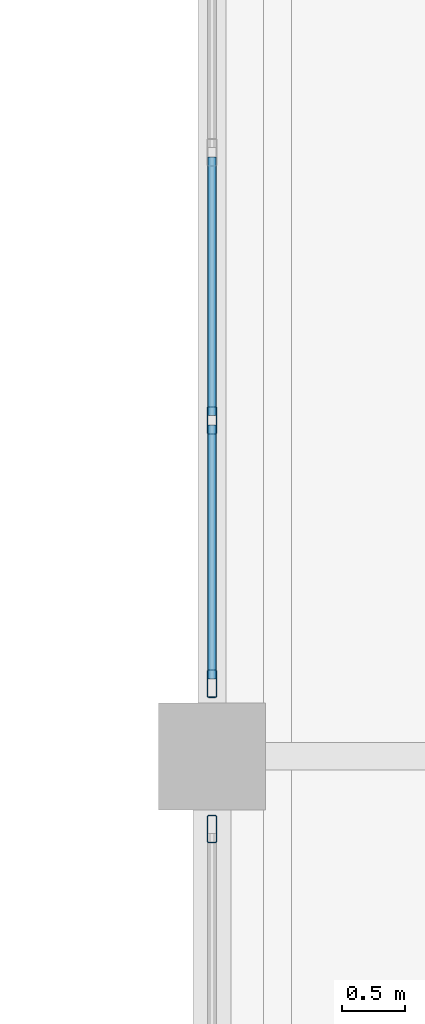
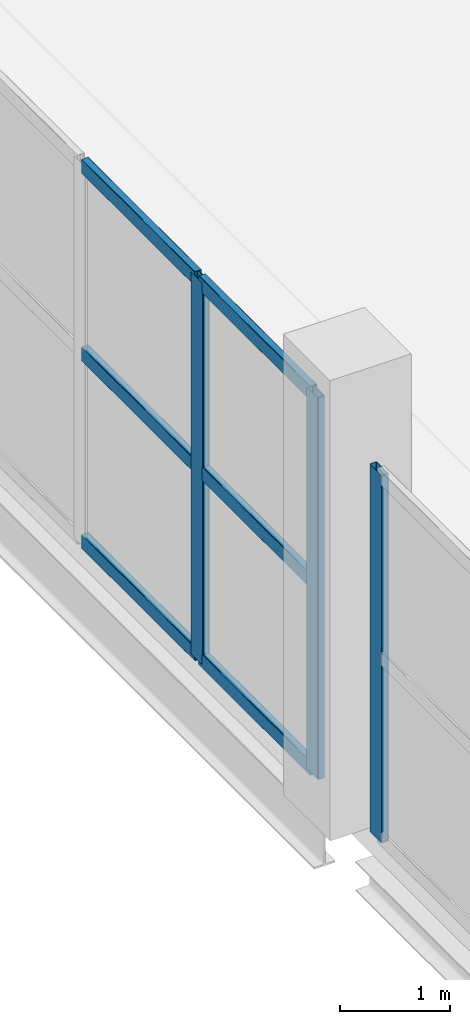
# One storey, part 31 of 66: 9 members, 2 elements without a shape of their own.
"""IFC4 building model written with IfcOpenShell, lengths in metres."""

from ifc_helpers import new_model, si_unit, direction, frame, origin, origin_2d, place, context, subcontext, project, spatial, hollow_rectangle, extrude, material, layer, layer_set, material_profile, profile_set, type_object, element, aggregate, save


model = new_model("IFC4")

# Units and contexts
model_context = context("Model", 3, precision=1e-05, world=origin(), true_north=direction((0.0, 1.0)))
body_context = subcontext(model_context, "Body", "Model", "MODEL_VIEW")
ifc_project = project(units=[si_unit("LENGTHUNIT", "METRE"), si_unit("AREAUNIT", "SQUARE_METRE"), si_unit("VOLUMEUNIT", "CUBIC_METRE"), si_unit("PLANEANGLEUNIT", "RADIAN"), si_unit("MASSUNIT", "GRAM", prefix="KILO")], contexts=[model_context])

# Site, building, storey
site_placement = place(None, origin())
site = spatial("IfcSite", under=ifc_project, at=site_placement, CompositionType="ELEMENT")
building_placement = place(site_placement, origin())
building = spatial("IfcBuilding", under=site, at=building_placement, Name="Zulmaris Art Gallery", CompositionType="ELEMENT")
storey_placement = place(building_placement, frame((0.0, 0.0, 5.39990234375)))
storey = spatial("IfcBuildingStorey", under=building, at=storey_placement, Name="L01", CompositionType="ELEMENT", Elevation=5.39990234375)

# Curtain wall, member
ifc_material_1 = material(Name="Courtyard Artists Studio Curtain Wall", Category="aluminium")
ifc_layer = layer(ifc_material_1, 0.179931640625)
ifc_layer_set = layer_set([ifc_layer], Name="Courtyard Artists Studio Curtain Wall")
curtain_wall_type = type_object("IfcCurtainWallType", Name="CW-CW04", PredefinedType="NOTDEFINED", material=ifc_layer_set)
curtain_wall_1_placement = place(storey_placement, origin())
curtain_wall_1 = element("IfcCurtainWall", 1, at=curtain_wall_1_placement, inside=storey, type_object=curtain_wall_type, Name="L01 curtain wall 124", PredefinedType="NOTDEFINED")
ifc_material_2 = material(Name="Anodised Bronze Aluminium", Category="aluminium")
ifc_material_profile_1 = material_profile(ifc_material_2, hollow_rectangle(XDim=0.074951171875, YDim=0.219970703125, WallThickness=0.0048828125, InnerFilletRadius=0.007568359375, OuterFilletRadius=0.012451171875, at=origin_2d()), Name="ALU 75x220x5")
ifc_profile_set_1 = profile_set([ifc_material_profile_1], Name="Anodised Bronze Aluminium")
member_type_1 = type_object("IfcMemberType", Name="CWMUL-02", PredefinedType="MULLION", material=ifc_profile_set_1)
member_1_placement = place(storey_placement, frame((183.60009765625, 40.222412109375, 0.0), z_axis=(0.0, 0.0, 1.0), x_axis=(1.0, 0.0, 0.0)))
member_1 = element("IfcMember", 2, at=member_1_placement, type_object=member_type_1, Name="CW04 mullion 1", PredefinedType="MULLION", context=body_context, shape_type="SweptSolid", body=[
    extrude(hollow_rectangle(XDim=0.074951171875, YDim=0.219970703125, WallThickness=0.0048828125, InnerFilletRadius=0.007568359375, OuterFilletRadius=0.012451171875, at=origin_2d()), origin(), (0.0, 0.0, 1.0), 4.070068359375),
])
aggregate(curtain_wall_1, [member_1])

# Curtain wall, members
curtain_wall_2_placement = place(storey_placement, origin())
curtain_wall_2 = element("IfcCurtainWall", 3, at=curtain_wall_2_placement, inside=storey, type_object=curtain_wall_type, Name="L01 curtain wall 126", PredefinedType="NOTDEFINED")
member_2_placement = place(storey_placement, frame((183.60009765625, 43.469970703125, 0.0), z_axis=(0.0, 0.0, 1.0), x_axis=(1.0, 0.0, 0.0)))
member_2 = element("IfcMember", 4, at=member_2_placement, type_object=member_type_1, Name="CW04 mullion 4", PredefinedType="MULLION", context=body_context, shape_type="SweptSolid", body=[
    extrude(hollow_rectangle(XDim=0.074951171875, YDim=0.219970703125, WallThickness=0.0048828125, InnerFilletRadius=0.007568359375, OuterFilletRadius=0.012451171875, at=origin_2d()), origin(), (0.0, 0.0, 1.0), 4.22998046875),
])
member_3_placement = place(storey_placement, frame((183.60009765625, 41.37744140625, 0.0), z_axis=(0.0, 0.0, 1.0), x_axis=(1.0, 0.0, 0.0)))
member_3 = element("IfcMember", 5, at=member_3_placement, type_object=member_type_1, Name="CW04 mullion 5", PredefinedType="MULLION", context=body_context, shape_type="SweptSolid", body=[
    extrude(hollow_rectangle(XDim=0.074951171875, YDim=0.219970703125, WallThickness=0.0048828125, InnerFilletRadius=0.007568359375, OuterFilletRadius=0.012451171875, at=origin_2d()), origin(), (0.0, 0.0, 1.0), 4.22998046875),
])
ifc_material_profile_2 = material_profile(ifc_material_2, hollow_rectangle(XDim=0.074951171875, YDim=0.159912109375, WallThickness=0.00390625, InnerFilletRadius=0.006103515625, OuterFilletRadius=0.010009765625, at=origin_2d()), Name="ALU 75x160x4")
ifc_profile_set_2 = profile_set([ifc_material_profile_2], Name="Anodised Bronze Aluminium")
member_type_2 = type_object("IfcMemberType", Name="CWTRN-02", PredefinedType="USERDEFINED", material=ifc_profile_set_2)
member_4_placement = place(storey_placement, frame((183.60009765625, 45.5625, 0.03759765625), z_axis=(0.0, -1.0, 0.0), x_axis=(1.0, 0.0, 0.0)))
member_4 = element("IfcMember", 6, at=member_4_placement, type_object=member_type_2, Name="CW04 transom 3.1", ObjectType="TRANSOM", PredefinedType="USERDEFINED", context=body_context, shape_type="SweptSolid", body=[
    extrude(hollow_rectangle(XDim=0.074951171875, YDim=0.159912109375, WallThickness=0.00390625, InnerFilletRadius=0.006103515625, OuterFilletRadius=0.010009765625, at=origin_2d()), origin(), (0.0, 0.0, 1.0), 2.054931640625),
])
member_5_placement = place(storey_placement, frame((183.60009765625, 45.5625, 2.114990234375), z_axis=(0.0, -1.0, 0.0), x_axis=(1.0, 0.0, 0.0)))
member_5 = element("IfcMember", 7, at=member_5_placement, type_object=member_type_2, Name="CW04 transom 3.2", ObjectType="TRANSOM", PredefinedType="USERDEFINED", context=body_context, shape_type="SweptSolid", body=[
    extrude(hollow_rectangle(XDim=0.074951171875, YDim=0.159912109375, WallThickness=0.00390625, InnerFilletRadius=0.006103515625, OuterFilletRadius=0.010009765625, at=origin_2d()), origin(), (0.0, 0.0, 1.0), 2.054931640625),
])
member_6_placement = place(storey_placement, frame((183.60009765625, 45.5625, 4.192626953125), z_axis=(0.0, -1.0, 0.0), x_axis=(1.0, 0.0, 0.0)))
member_6 = element("IfcMember", 8, at=member_6_placement, type_object=member_type_2, Name="CW04 transom 3.3", ObjectType="TRANSOM", PredefinedType="USERDEFINED", context=body_context, shape_type="SweptSolid", body=[
    extrude(hollow_rectangle(XDim=0.074951171875, YDim=0.159912109375, WallThickness=0.00390625, InnerFilletRadius=0.006103515625, OuterFilletRadius=0.010009765625, at=origin_2d()), origin(), (0.0, 0.0, 1.0), 2.054931640625),
])
member_7_placement = place(storey_placement, frame((183.60009765625, 43.4326171875, 0.03759765625), z_axis=(0.0, -1.0, 0.0), x_axis=(1.0, 0.0, 0.0)))
member_7 = element("IfcMember", 9, at=member_7_placement, type_object=member_type_2, Name="CW04 transom 4.1", ObjectType="TRANSOM", PredefinedType="USERDEFINED", context=body_context, shape_type="SweptSolid", body=[
    extrude(hollow_rectangle(XDim=0.074951171875, YDim=0.159912109375, WallThickness=0.00390625, InnerFilletRadius=0.006103515625, OuterFilletRadius=0.010009765625, at=origin_2d()), origin(), (0.0, 0.0, 1.0), 2.017578125),
])
member_8_placement = place(storey_placement, frame((183.60009765625, 43.4326171875, 2.114990234375), z_axis=(0.0, -1.0, 0.0), x_axis=(1.0, 0.0, 0.0)))
member_8 = element("IfcMember", 10, at=member_8_placement, type_object=member_type_2, Name="CW04 transom 4.2", ObjectType="TRANSOM", PredefinedType="USERDEFINED", context=body_context, shape_type="SweptSolid", body=[
    extrude(hollow_rectangle(XDim=0.074951171875, YDim=0.159912109375, WallThickness=0.00390625, InnerFilletRadius=0.006103515625, OuterFilletRadius=0.010009765625, at=origin_2d()), origin(), (0.0, 0.0, 1.0), 2.017578125),
])
member_9_placement = place(storey_placement, frame((183.60009765625, 43.4326171875, 4.192626953125), z_axis=(0.0, -1.0, 0.0), x_axis=(1.0, 0.0, 0.0)))
member_9 = element("IfcMember", 11, at=member_9_placement, type_object=member_type_2, Name="CW04 transom 4.3", ObjectType="TRANSOM", PredefinedType="USERDEFINED", context=body_context, shape_type="SweptSolid", body=[
    extrude(hollow_rectangle(XDim=0.074951171875, YDim=0.159912109375, WallThickness=0.00390625, InnerFilletRadius=0.006103515625, OuterFilletRadius=0.010009765625, at=origin_2d()), origin(), (0.0, 0.0, 1.0), 2.017578125),
])
aggregate(curtain_wall_2, [member_2, member_3, member_4, member_5, member_6, member_7, member_8, member_9])

save(model, "model.ifc")
